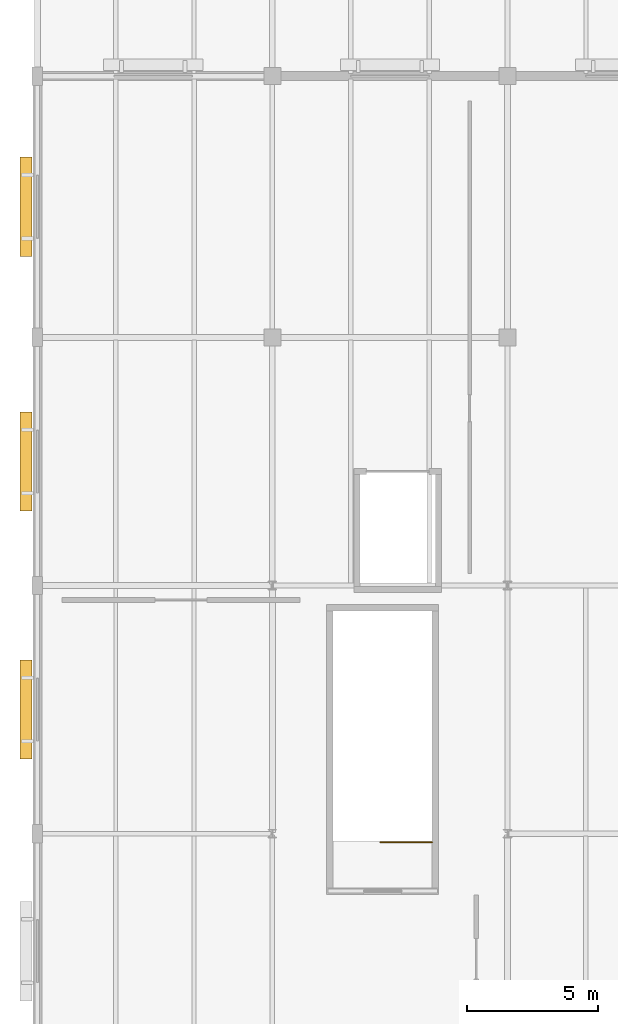
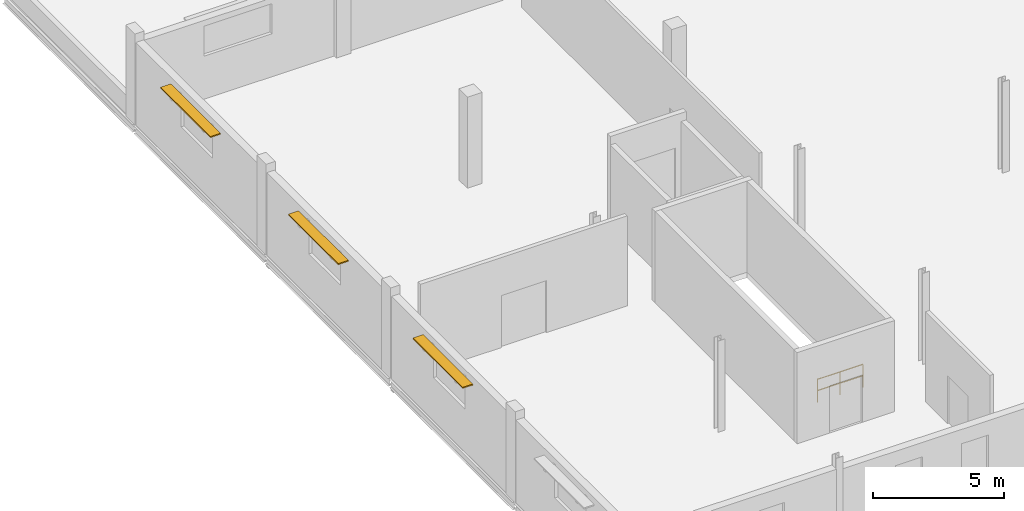
# One storey, part 80 of 85: 3 shading devices, 1 railing.
"""IFC4 building model written with IfcOpenShell, lengths in metres."""

from ifc_helpers import new_model, si_unit, direction, frame, origin, origin_2d, place, context, subcontext, project, spatial, rectangle, circle, extrude, material, layer, layer_set, type_object, element, save


model = new_model("IFC4")

# Units and contexts
model_context = context("Model", 3, precision=1e-05, world=origin(), true_north=direction((0.0, 1.0)))
body_context = subcontext(model_context, "Body", "Model", "MODEL_VIEW")
ifc_project = project(units=[si_unit("LENGTHUNIT", "METRE"), si_unit("AREAUNIT", "SQUARE_METRE"), si_unit("VOLUMEUNIT", "CUBIC_METRE"), si_unit("PLANEANGLEUNIT", "RADIAN"), si_unit("MASSUNIT", "GRAM", prefix="KILO")], contexts=[model_context])

# Site, building, storey
site_placement = place(None, origin())
site = spatial("IfcSite", under=ifc_project, at=site_placement, CompositionType="ELEMENT")
building_placement = place(site_placement, origin())
building = spatial("IfcBuilding", under=site, at=building_placement, Name="Marnock Terrace Opera House", CompositionType="ELEMENT")
storey_placement = place(building_placement, frame((0.0, 0.0, 10.199951171875)))
storey = spatial("IfcBuildingStorey", under=building, at=storey_placement, Name="L02", CompositionType="ELEMENT", Elevation=10.199951171875)

# Railing
ifc_material_1 = material(Name="Architectural bronze balustrade")
railing_type = type_object("IfcRailingType", Name="RL-GUARD-1100", PredefinedType="GUARDRAIL", material=ifc_material_1)
railing_placement = place(storey_placement, frame((15.1201171875, 74.669921875, 0.0)))
element("IfcRailing", 1, at=railing_placement, inside=storey, type_object=railing_type, Name="L02 ST-07 top well guard 1", PredefinedType="GUARDRAIL", context=body_context, shape_type="SweptSolid", body=[
    extrude(circle(Radius=0.02392578125, at=origin_2d()), frame((0.0, 0.0, 1.076171875), z_axis=(-1.0, 0.0, 0.0), x_axis=(0.0, -1.0, 0.0)), (0.0, 0.0, 1.0), 2.0),
    extrude(circle(Radius=0.02392578125, at=origin_2d()), frame((0.0, 0.0, 0.550048828125), z_axis=(-1.0, 0.0, 0.0), x_axis=(0.0, -1.0, 0.0)), (0.0, 0.0, 1.0), 2.0),
    extrude(circle(Radius=0.02099609375, at=origin_2d()), origin(), (0.0, 0.0, 1.0), 1.052001953125),
    extrude(circle(Radius=0.02099609375, at=origin_2d()), frame((-1.0, 0.0, 0.0)), (0.0, 0.0, 1.0), 1.052001953125),
    extrude(circle(Radius=0.02099609375, at=origin_2d()), frame((-2.0, 0.0, 0.0)), (0.0, 0.0, 1.0), 1.052001953125),
])

# Shading devices
ifc_material_2 = material(Name="Architectural cast bronze")
ifc_layer = layer(ifc_material_2, 0.054931640625)
ifc_layer_set = layer_set([ifc_layer], Name="Architectural cast bronze")
shading_device_type = type_object("IfcShadingDeviceType", Name="SHD-LOUVRE-3800", PredefinedType="JALOUSIE", material=ifc_layer_set)
for number, where, z_axis, x_axis, name in (
    (2, (-0.43994140625, 79.75, 3.5439453125), (0.0, 0.0, 1.0), (0.0, 1.0, 0.0), "Adelaide sun-control bronze brise-soleil EW-V4W-L02-2"),
    (3, (-0.43994140625, 89.25, 3.5439453125), (0.0, 0.0, 1.0), (0.0, 1.0, 0.0), "Adelaide sun-control bronze brise-soleil EW-V4W-L02-3"),
    (4, (-0.43994140625, 99.0, 3.5439453125), (0.0, 0.0, 1.0), (0.0, 1.0, 0.0), "Adelaide sun-control bronze brise-soleil EW-V4W-L02-4"),
):
    element("IfcShadingDevice", number, at=place(storey_placement, frame(where, z_axis=z_axis, x_axis=x_axis)), inside=storey, type_object=shading_device_type, Name=name, PredefinedType="JALOUSIE", context=body_context, shape_type="SweptSolid", body=[
        extrude(rectangle(XDim=3.800048828125, YDim=0.449951171875, at=origin_2d()), origin(), (0.0, 0.0, 1.0), 0.054931640625),
    ])

save(model, "model.ifc")
